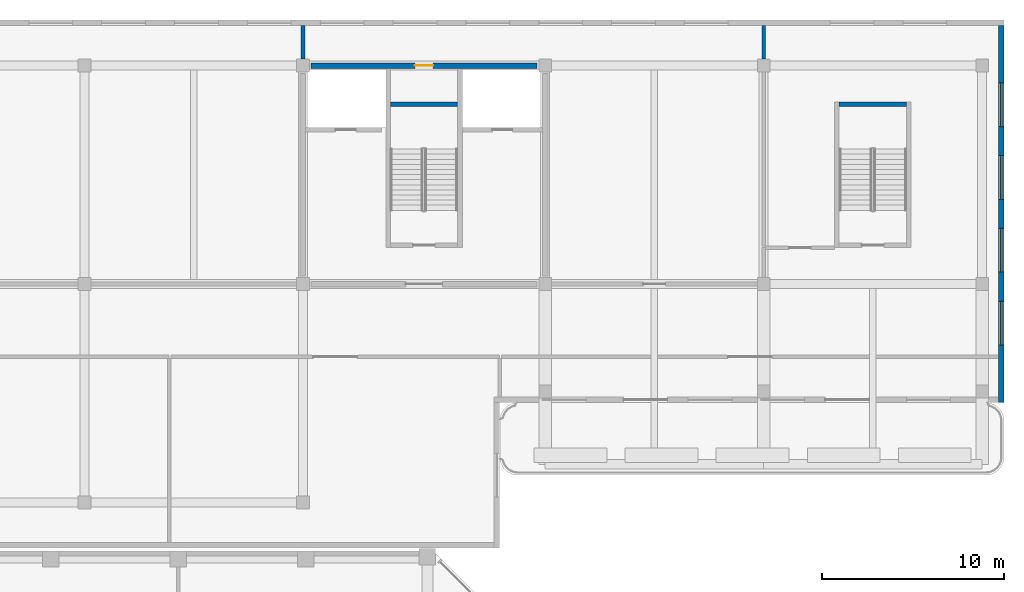
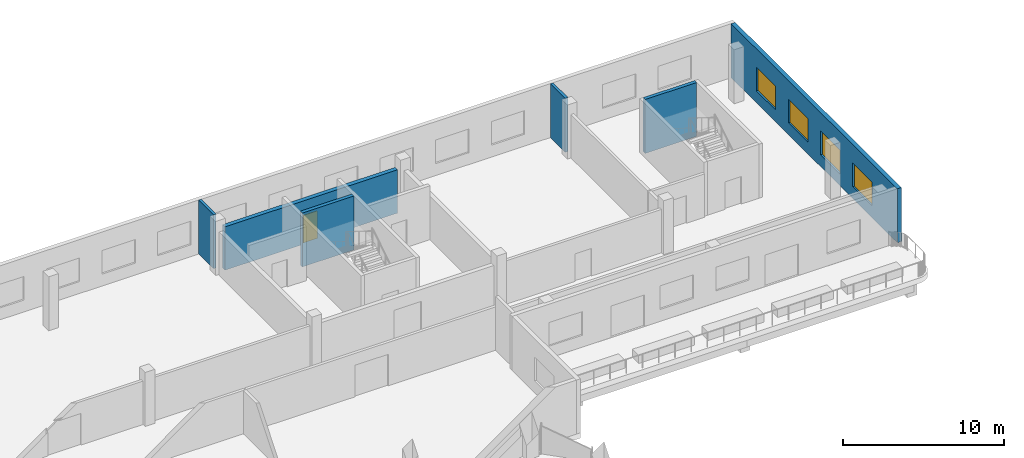
# One storey, part 26 of 36: 6 walls, 4 windows, 1 door, 5 openings.
"""IFC4 building model written with IfcOpenShell, lengths in metres."""

from ifc_helpers import new_model, si_unit, direction, frame, frame_2d, origin, place, context, subcontext, project, spatial, rectangle, extrude, source, transform, mapped, material, layer, layer_set, type_object, element, fill, save


model = new_model("IFC4")

# Units and contexts
model_context = context("Model", 3, precision=1e-05, world=origin(), true_north=direction((0.0, 1.0)))
body_context = subcontext(model_context, "Body", "Model", "MODEL_VIEW")
ifc_project = project(units=[si_unit("LENGTHUNIT", "METRE"), si_unit("AREAUNIT", "SQUARE_METRE"), si_unit("VOLUMEUNIT", "CUBIC_METRE"), si_unit("PLANEANGLEUNIT", "RADIAN"), si_unit("MASSUNIT", "GRAM", prefix="KILO")], contexts=[model_context])

# Site, building, storey
site_placement = place(None, origin())
site = spatial("IfcSite", under=ifc_project, at=site_placement, CompositionType="ELEMENT")
building_placement = place(site_placement, origin())
building = spatial("IfcBuilding", under=site, at=building_placement, Name="Kilnfold Tower and Market Hall", CompositionType="ELEMENT")
storey_placement = place(building_placement, frame((0.0, 0.0, 18.0)))
storey = spatial("IfcBuildingStorey", under=building, at=storey_placement, Name="L03", CompositionType="ELEMENT", Elevation=18.0)

# Walls
ifc_material_1 = material(Name="Concrete C50/60", Category="concrete")
ifc_layer_1 = layer(ifc_material_1, 0.25)
ifc_layer_set_1 = layer_set([ifc_layer_1], Name="Concrete C50/60")
wall_type_1 = type_object("IfcWallType", Name="HALL CORE WALL 250", PredefinedType="SHEAR", material=ifc_layer_set_1)
shared_shape_1 = source(origin(), body_context, "Body", "SweptSolid", [
    extrude(rectangle(XDim=3.699951171875, YDim=0.25, at=frame_2d((1.85009765625, 0.0))), origin(), (0.0, 0.0, 1.0), 4.10009765625),
])
wall_1_placement = place(storey_placement, frame((46.800048828125, 52.52490234375, 0.0), z_axis=(0.0, 0.0, 1.0), x_axis=(1.0, 0.0, 0.0)))
element("IfcWall", 1, at=wall_1_placement, inside=storey, type_object=wall_type_1, Name="Core wall MS6", PredefinedType="SHEAR", context=body_context, shape_type="MappedRepresentation", body=[
    mapped(shared_shape_1, transform((0.0, 0.0, 0.0))),
])
shared_shape_2 = source(origin(), body_context, "Body", "SweptSolid", [
    extrude(rectangle(XDim=3.7001953125, YDim=0.25, at=frame_2d((1.85009765625, 0.0))), origin(), (0.0, 0.0, 1.0), 4.10009765625),
])
wall_2_placement = place(storey_placement, frame((25.85009765625, 52.52490234375, 0.0), z_axis=(0.0, 0.0, 1.0), x_axis=(-1.0, 0.0, 0.0)))
element("IfcWall", 2, at=wall_2_placement, inside=storey, type_object=wall_type_1, Name="Core wall MH3", PredefinedType="SHEAR", context=body_context, shape_type="MappedRepresentation", body=[
    mapped(shared_shape_2, transform((0.0, 0.0, 0.0))),
])

# Wall, opening, door
ifc_material_2 = material(Name="Concrete C50/60", Category="concrete")
ifc_layer_2 = layer(ifc_material_2, 0.300048828125)
ifc_layer_set_2 = layer_set([ifc_layer_2], Name="Concrete C50/60")
wall_type_2 = type_object("IfcWallType", Name="HALL CORE WALL 300", PredefinedType="SHEAR", material=ifc_layer_set_2)
shared_shape_3 = source(origin(), body_context, "Body", "SweptSolid", [
    extrude(rectangle(XDim=12.39990234375, YDim=0.300048828125, at=frame_2d((6.199951171875, 0.0))), origin(), (0.0, 0.0, 1.0), 3.300048828125),
])
wall_3_placement = place(storey_placement, frame((30.199951171875, 54.64990234375, 0.0), z_axis=(0.0, 0.0, 1.0), x_axis=(-1.0, 0.0, 0.0)))
wall_3 = element("IfcWall", 3, at=wall_3_placement, inside=storey, type_object=wall_type_2, Name="Core wall MH3", PredefinedType="SHEAR", context=body_context, shape_type="MappedRepresentation", body=[
    mapped(shared_shape_3, transform((0.0, 0.0, 0.0))),
])
opening_1_placement = place(wall_3_placement, frame((5.699951171875, 0.0, 0.0)))
opening_1 = element("IfcOpeningElement", 4, at=opening_1_placement, cuts=wall_3, Name="Opening MD4-60", PredefinedType="OPENING", context=body_context, shape_type="SweptSolid", body=[
    extrude(rectangle(XDim=1.0, YDim=2.10009765625, at=frame_2d((0.5, 1.050048828125))), frame((0.0, 0.16015625, 0.0), z_axis=(0.0, -1.0, 0.0), x_axis=(1.0, 0.0, 0.0)), (0.0, 0.0, 1.0), 0.320068359375),
])
ifc_material_3 = material(Name="Steel S355", Category="steel")
door_type = type_object("IfcDoorType", Name="HALL DOOR RISER 1000X2100 FD60", OperationType="NOTDEFINED", PredefinedType="DOOR", material=ifc_material_3)
door_placement = place(opening_1_placement, origin())
door = element("IfcDoor", 5, at=door_placement, inside=storey, type_object=door_type, Name="Door MD4-60", OperationType="SINGLE_SWING_RIGHT", OverallHeight=2.10009765625, OverallWidth=1.0, PredefinedType="DOOR", context=body_context, shape_type="SweptSolid", body=[
    extrude(rectangle(XDim=1.0, YDim=2.10009765625, at=frame_2d((0.5, 1.050048828125))), frame((0.0, 0.02490234375, 0.0), z_axis=(0.0, -1.0, 0.0), x_axis=(1.0, 0.0, 0.0)), (0.0, 0.0, 1.0), 0.050048828125),
])
fill(opening_1, door)

# Wall, openings, windows
ifc_material_4 = material(Name="Concrete blockwork", Category="masonry")
ifc_layer_3 = layer(ifc_material_4, 0.300048828125)
ifc_layer_set_3 = layer_set([ifc_layer_3], Name="Concrete blockwork")
wall_type_3 = type_object("IfcWallType", Name="HALL EXTERNAL WALL 300 EI 60", PredefinedType="SOLIDWALL", material=ifc_layer_set_3)
shared_shape_4 = source(origin(), body_context, "Body", "SweptSolid", [
    extrude(rectangle(XDim=20.7001953125, YDim=0.300048828125, at=frame_2d((10.35009765625, 0.0))), origin(), (0.0, 0.0, 1.0), 4.10009765625),
])
wall_4_placement = place(storey_placement, frame((55.699951171875, 56.85009765625, 0.0), z_axis=(0.0, 0.0, 1.0), x_axis=(0.0, -1.0, 0.0)))
wall_4 = element("IfcWall", 6, at=wall_4_placement, inside=storey, type_object=wall_type_3, Name="External wall MEW-L03.3", PredefinedType="SOLIDWALL", context=body_context, shape_type="MappedRepresentation", body=[
    mapped(shared_shape_4, transform((0.0, 0.0, 0.0))),
])
opening_2_placement = place(wall_4_placement, frame((3.14990234375, 0.0, 0.89990234375)))
opening_2 = element("IfcOpeningElement", 7, at=opening_2_placement, cuts=wall_4, Name="Opening MEN3", PredefinedType="OPENING", context=body_context, shape_type="SweptSolid", body=[
    extrude(rectangle(XDim=2.39990234375, YDim=1.800048828125, at=frame_2d((1.199951171875, 0.89990234375))), frame((0.0, 0.16015625, 0.0), z_axis=(0.0, -1.0, 0.0), x_axis=(1.0, 0.0, 0.0)), (0.0, 0.0, 1.0), 0.320068359375),
])
opening_3_placement = place(wall_4_placement, frame((7.14990234375, 0.0, 0.89990234375)))
opening_3 = element("IfcOpeningElement", 8, at=opening_3_placement, cuts=wall_4, Name="Opening MEN3", PredefinedType="OPENING", context=body_context, shape_type="SweptSolid", body=[
    extrude(rectangle(XDim=2.39990234375, YDim=1.800048828125, at=frame_2d((1.199951171875, 0.89990234375))), frame((0.0, 0.16015625, 0.0), z_axis=(0.0, -1.0, 0.0), x_axis=(1.0, 0.0, 0.0)), (0.0, 0.0, 1.0), 0.320068359375),
])
opening_4_placement = place(wall_4_placement, frame((11.14990234375, 0.0, 0.89990234375)))
opening_4 = element("IfcOpeningElement", 9, at=opening_4_placement, cuts=wall_4, Name="Opening MEN3", PredefinedType="OPENING", context=body_context, shape_type="SweptSolid", body=[
    extrude(rectangle(XDim=2.39990234375, YDim=1.800048828125, at=frame_2d((1.199951171875, 0.89990234375))), frame((0.0, 0.16015625, 0.0), z_axis=(0.0, -1.0, 0.0), x_axis=(1.0, 0.0, 0.0)), (0.0, 0.0, 1.0), 0.320068359375),
])
opening_5_placement = place(wall_4_placement, frame((15.14990234375, 0.0, 0.89990234375)))
opening_5 = element("IfcOpeningElement", 10, at=opening_5_placement, cuts=wall_4, Name="Opening MEN3", PredefinedType="OPENING", context=body_context, shape_type="SweptSolid", body=[
    extrude(rectangle(XDim=2.39990234375, YDim=1.800048828125, at=frame_2d((1.199951171875, 0.89990234375))), frame((0.0, 0.16015625, 0.0), z_axis=(0.0, -1.0, 0.0), x_axis=(1.0, 0.0, 0.0)), (0.0, 0.0, 1.0), 0.320068359375),
])
ifc_material_5 = material(Name="Aluminium glazing", Category="aluminium")
window_type = type_object("IfcWindowType", Name="HALL WINDOW 2400X1800", PartitioningType="SINGLE_PANEL", PredefinedType="WINDOW", material=ifc_material_5)
window_1_placement = place(opening_2_placement, origin())
window_1 = element("IfcWindow", 11, at=window_1_placement, inside=storey, type_object=window_type, Name="Window upper", OverallHeight=1.800048828125, OverallWidth=2.39990234375, PartitioningType="SINGLE_PANEL", PredefinedType="WINDOW", context=body_context, shape_type="SweptSolid", body=[
    extrude(rectangle(XDim=2.39990234375, YDim=1.800048828125, at=frame_2d((1.199951171875, 0.89990234375))), frame((0.0, 0.030029296875, 0.0), z_axis=(0.0, -1.0, 0.0), x_axis=(1.0, 0.0, 0.0)), (0.0, 0.0, 1.0), 0.06005859375),
])
fill(opening_2, window_1)
window_2_placement = place(opening_3_placement, origin())
window_2 = element("IfcWindow", 12, at=window_2_placement, inside=storey, type_object=window_type, Name="Window upper", OverallHeight=1.800048828125, OverallWidth=2.39990234375, PartitioningType="SINGLE_PANEL", PredefinedType="WINDOW", context=body_context, shape_type="SweptSolid", body=[
    extrude(rectangle(XDim=2.39990234375, YDim=1.800048828125, at=frame_2d((1.199951171875, 0.89990234375))), frame((0.0, 0.030029296875, 0.0), z_axis=(0.0, -1.0, 0.0), x_axis=(1.0, 0.0, 0.0)), (0.0, 0.0, 1.0), 0.06005859375),
])
fill(opening_3, window_2)
window_3_placement = place(opening_4_placement, origin())
window_3 = element("IfcWindow", 13, at=window_3_placement, inside=storey, type_object=window_type, Name="Window upper", OverallHeight=1.800048828125, OverallWidth=2.39990234375, PartitioningType="SINGLE_PANEL", PredefinedType="WINDOW", context=body_context, shape_type="SweptSolid", body=[
    extrude(rectangle(XDim=2.39990234375, YDim=1.800048828125, at=frame_2d((1.199951171875, 0.89990234375))), frame((0.0, 0.030029296875, 0.0), z_axis=(0.0, -1.0, 0.0), x_axis=(1.0, 0.0, 0.0)), (0.0, 0.0, 1.0), 0.06005859375),
])
fill(opening_4, window_3)
window_4_placement = place(opening_5_placement, origin())
window_4 = element("IfcWindow", 14, at=window_4_placement, inside=storey, type_object=window_type, Name="Window upper", OverallHeight=1.800048828125, OverallWidth=2.39990234375, PartitioningType="SINGLE_PANEL", PredefinedType="WINDOW", context=body_context, shape_type="SweptSolid", body=[
    extrude(rectangle(XDim=2.39990234375, YDim=1.800048828125, at=frame_2d((1.199951171875, 0.89990234375))), frame((0.0, 0.030029296875, 0.0), z_axis=(0.0, -1.0, 0.0), x_axis=(1.0, 0.0, 0.0)), (0.0, 0.0, 1.0), 0.06005859375),
])
fill(opening_5, window_4)

# Walls
ifc_material_6 = material(Name="Concrete blockwork", Category="masonry")
ifc_layer_4 = layer(ifc_material_6, 0.199951171875)
ifc_layer_set_4 = layer_set([ifc_layer_4], Name="Concrete blockwork")
wall_type_4 = type_object("IfcWallType", Name="HALL PARTITION 200 EI 120", PredefinedType="PARTITIONING", material=ifc_layer_set_4)
shared_shape_5 = source(origin(), body_context, "Body", "SweptSolid", [
    extrude(rectangle(XDim=1.85009765625, YDim=0.199951171875, at=frame_2d((0.925048828125, 0.0))), origin(), (0.0, 0.0, 1.0), 4.10009765625),
])
for number, where, z_axis, x_axis, name in (
    (15, (17.35009765625, 56.85009765625, 0.0), (0.0, 0.0, 1.0), (0.0, -1.0, 0.0), "Partition W-MH-L03.44"),
    (16, (42.64990234375, 56.85009765625, 0.0), (0.0, 0.0, 1.0), (0.0, -1.0, 0.0), "Partition W-MH-L03.51"),
):
    element("IfcWall", number, at=place(storey_placement, frame(where, z_axis=z_axis, x_axis=x_axis)), inside=storey, type_object=wall_type_4, Name=name, PredefinedType="PARTITIONING", context=body_context, shape_type="MappedRepresentation", body=[
        mapped(shared_shape_5, transform((0.0, 0.0, 0.0))),
    ])

save(model, "model.ifc")
